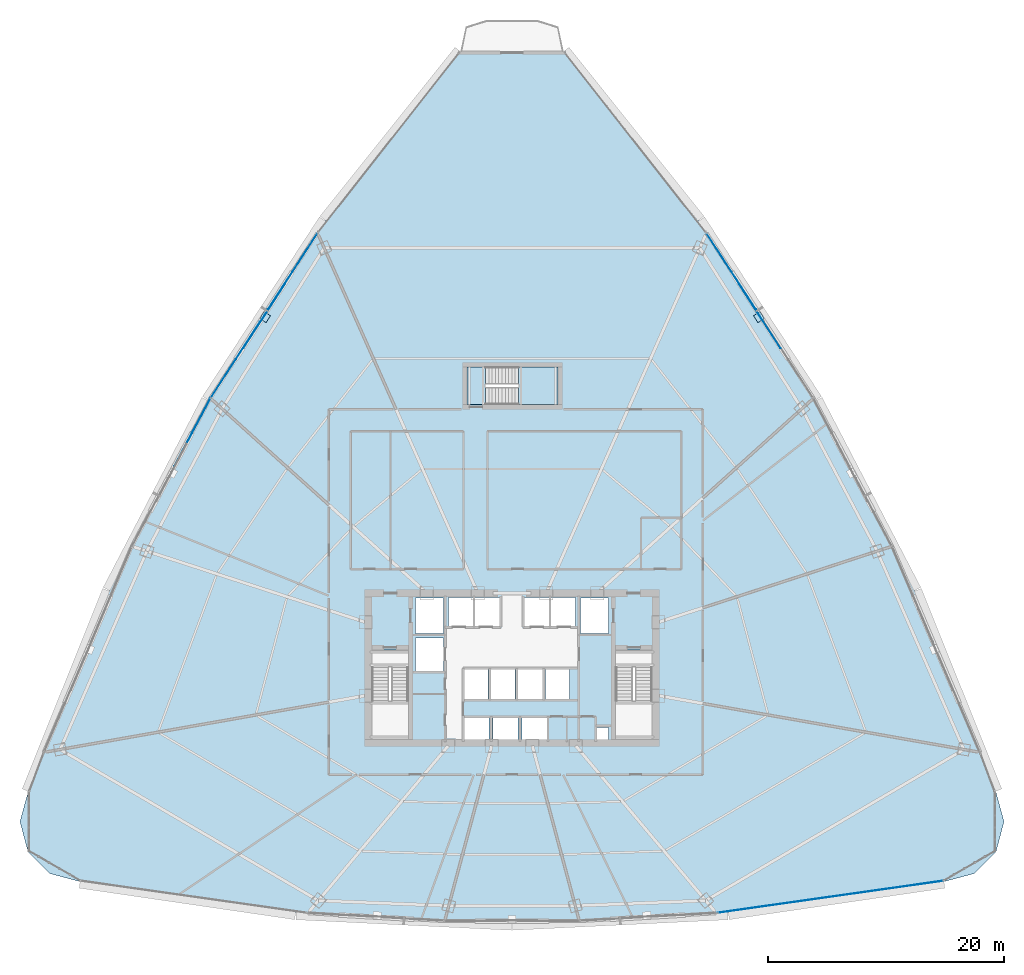
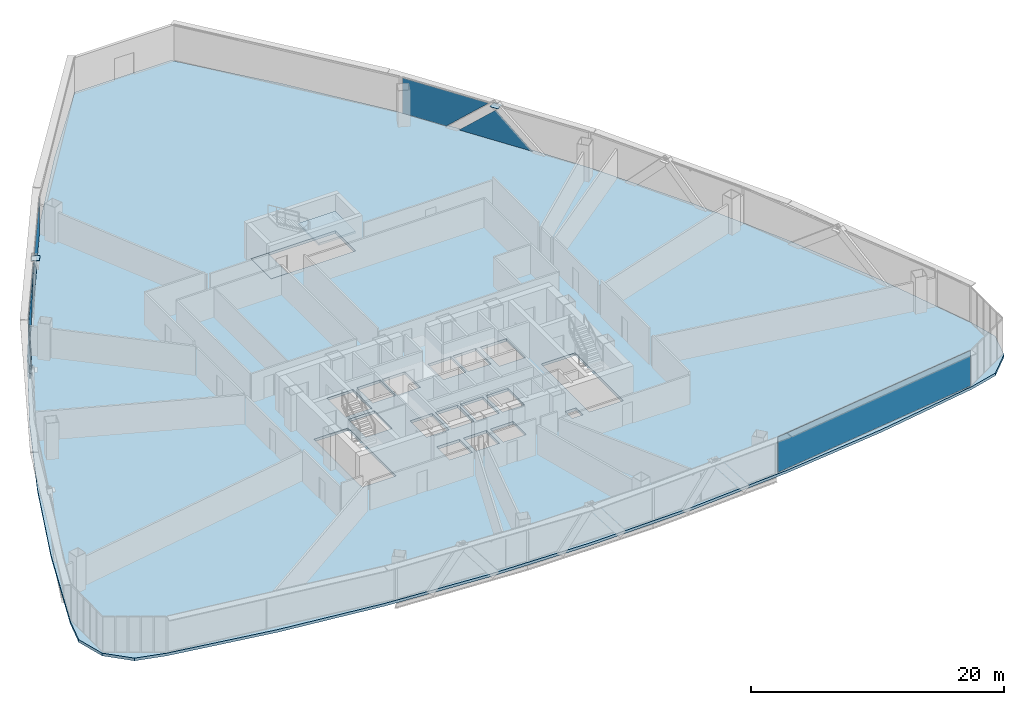
# One storey, part 31 of 41: 9 plates, 3 slabs, 5 elements without a shape of their own.
"""IFC4 building model written with IfcOpenShell, lengths in metres."""

import ifcopenshell
import ifcopenshell.guid

model = None  # the IFC model being written
_history = None  # IfcOwnerHistory: only IFC2X3 demands one
_inside = {}  # id of a spatial element -> (the spatial element, [elements in it])
_under = {}  # id of a project, library or spatial element -> (it, [spatial elements below it])
_declared = {}  # id of a project -> (the project, [libraries it declares])
_typed = {}  # id of a type object -> (the type object, [elements of that type])
_made_of = {}  # id of a material, layer set ... -> (it, [elements and type objects made of it])


def new_model(schema):
    """Start an empty IFC model of exactly this schema.

    Asked for "IFC4X3", IfcOpenShell would pick the latest addendum, in which some entities
    have other attributes; the version numbers below select the first issue.
    IFC2X3 requires an IfcOwnerHistory on every rooted entity: one is made here for all.
    """
    global model, _history
    if schema == "IFC4X3":
        model = ifcopenshell.file(schema_version=(4, 3, 0, 0))
    else:
        model = ifcopenshell.file(schema=schema)
    _inside.clear()
    _under.clear()
    _declared.clear()
    _typed.clear()
    _made_of.clear()
    _history = None
    if model.schema == "IFC2X3":
        org = make("IfcOrganization", Name="unknown")
        user = make(
            "IfcPersonAndOrganization",
            ThePerson=make("IfcPerson", FamilyName="unknown"),
            TheOrganization=org,
        )
        app = make(
            "IfcApplication",
            ApplicationDeveloper=org,
            Version="unknown",
            ApplicationFullName="unknown",
            ApplicationIdentifier="unknown",
        )
        _history = make(
            "IfcOwnerHistory",
            OwningUser=user,
            OwningApplication=app,
            ChangeAction="ADDED",
            CreationDate=0,
        )
    return model


def make(cls, **values):
    """One entity of the class cls with the attributes given. An attribute that is None is left unset."""
    return model.create_entity(
        cls, **{name: value for name, value in values.items() if value is not None}
    )


def rooted(cls, **values):
    """An entity with a GlobalId (a new one), such as an element, a storey or a relation."""
    return make(cls, GlobalId=ifcopenshell.guid.new(), OwnerHistory=_history, **values)


def si_unit(unit_type, name, prefix=None):
    """IfcSIUnit, for example si_unit("LENGTHUNIT", "METRE", prefix="MILLI")."""
    return make("IfcSIUnit", UnitType=unit_type, Prefix=prefix, Name=name)


def assignment(units):
    """IfcUnitAssignment: the units of a project."""
    return None if units is None else make("IfcUnitAssignment", Units=units)


def point(xyz):
    """IfcCartesianPoint."""
    return None if xyz is None else make("IfcCartesianPoint", Coordinates=xyz)


def direction(xyz):
    """IfcDirection."""
    return None if xyz is None else make("IfcDirection", DirectionRatios=xyz)


def frame(location, z_axis=None, x_axis=None):
    """IfcAxis2Placement3D, a coordinate frame: its origin and axes. An axis left out is left unset."""
    return make(
        "IfcAxis2Placement3D",
        Location=point(location),
        Axis=direction(z_axis),
        RefDirection=direction(x_axis),
    )


def frame_2d(location, x_axis=None):
    """IfcAxis2Placement2D, a coordinate frame in the plane: its origin and x axis."""
    return make(
        "IfcAxis2Placement2D", Location=point(location), RefDirection=direction(x_axis)
    )


def origin():
    """The frame at (0, 0, 0) with its axes left unset."""
    return frame((0.0, 0.0, 0.0))


def origin_2d():
    """The frame at (0, 0) in the plane with its x axis left unset."""
    return frame_2d((0.0, 0.0))


def place(relative_to, where):
    """IfcLocalPlacement: puts the frame where relative to a parent placement (None: the world)."""
    return make(
        "IfcLocalPlacement", PlacementRelTo=relative_to, RelativePlacement=where
    )


def context(
    kind, dimensions, precision=None, world=None, true_north=None, identifier=None
):
    """IfcGeometricRepresentationContext, for example the 3D "Model" context."""
    return make(
        "IfcGeometricRepresentationContext",
        ContextIdentifier=identifier,
        ContextType=kind,
        CoordinateSpaceDimension=dimensions,
        Precision=precision,
        WorldCoordinateSystem=world,
        TrueNorth=true_north,
    )


def subcontext(parent, identifier, kind, view, scale=None):
    """IfcGeometricRepresentationSubContext, for example "Body" below "Model"."""
    return make(
        "IfcGeometricRepresentationSubContext",
        ContextIdentifier=identifier,
        ContextType=kind,
        ParentContext=parent,
        TargetScale=scale,
        TargetView=view,
    )


def project(units=None, contexts=None):
    """IfcProject with its units and contexts."""
    return rooted(
        "IfcProject",
        Name="project",
        RepresentationContexts=contexts,
        UnitsInContext=assignment(units),
    )


def spatial(cls, under=None, at=None, **own):
    """A site, building, storey or space (cls), placed at a placement, below another one or the project."""
    s = rooted(cls, ObjectPlacement=at, **own)
    if under is not None:
        _under.setdefault(under.id(), (under, []))[1].append(s)
    return s


def polyline(points):
    """IfcPolyline through the points."""
    return make("IfcPolyline", Points=[point(p) for p in points])


def profile(cls, at=None, kind="AREA", **sizes):
    """A parametric profile (cls). Its sizes go by their IFC names, for example OverallWidth=200.0."""
    return make(cls, ProfileType=kind, Position=at, **sizes)


def rectangle(**sizes):
    """IfcRectangleProfileDef."""
    return profile("IfcRectangleProfileDef", **sizes)


def outline(outer, holes=None, kind="AREA"):
    """IfcArbitraryClosedProfileDef: a profile drawn as a closed curve; with holes, ...WithVoids."""
    if holes is None:
        return make("IfcArbitraryClosedProfileDef", ProfileType=kind, OuterCurve=outer)
    return make(
        "IfcArbitraryProfileDefWithVoids",
        ProfileType=kind,
        OuterCurve=outer,
        InnerCurves=holes,
    )


def extrude(swept, where, along, depth):
    """IfcExtrudedAreaSolid: the profile swept, set in the frame where, extruded along a direction by depth."""
    return make(
        "IfcExtrudedAreaSolid",
        SweptArea=swept,
        Position=where,
        ExtrudedDirection=direction(along),
        Depth=depth,
    )


def shape(context_of_items, identifier, shape_type, items):
    """IfcShapeRepresentation: the items that make up one representation, for example the "Body"."""
    return make(
        "IfcShapeRepresentation",
        ContextOfItems=context_of_items,
        RepresentationIdentifier=identifier,
        RepresentationType=shape_type,
        Items=items,
    )


def source(mapping_origin, context_of_items, identifier, shape_type, items):
    """IfcRepresentationMap: a shape defined once, which mapped items show again and again."""
    return make(
        "IfcRepresentationMap",
        MappingOrigin=mapping_origin,
        MappedRepresentation=shape(context_of_items, identifier, shape_type, items),
    )


def transform(
    local_origin,
    x_axis=None,
    y_axis=None,
    z_axis=None,
    scale=None,
    scale2=None,
    scale3=None,
    uniform=True,
):
    """IfcCartesianTransformationOperator3D, or its non-uniform kind. x_axis, y_axis, z_axis: its Axis1, 2, 3."""
    if uniform:
        return make(
            "IfcCartesianTransformationOperator3D",
            Axis1=direction(x_axis),
            Axis2=direction(y_axis),
            LocalOrigin=point(local_origin),
            Scale=scale,
            Axis3=direction(z_axis),
        )
    return make(
        "IfcCartesianTransformationOperator3DnonUniform",
        Axis1=direction(x_axis),
        Axis2=direction(y_axis),
        LocalOrigin=point(local_origin),
        Scale=scale,
        Axis3=direction(z_axis),
        Scale2=scale2,
        Scale3=scale3,
    )


def mapped(mapping_source, mapping_target):
    """IfcMappedItem: shows the shape of a source again, moved by a transform."""
    return make(
        "IfcMappedItem", MappingSource=mapping_source, MappingTarget=mapping_target
    )


def material(Name=None, Category=None):
    """IfcMaterial."""
    return make("IfcMaterial", Name=Name, Category=Category)


def layer(
    of_material, thickness, ventilated=None, Name=None, Category=None, Priority=None
):
    """IfcMaterialLayer: one layer of a wall or slab, of a material (None: an air gap)."""
    return make(
        "IfcMaterialLayer",
        Material=of_material,
        LayerThickness=thickness,
        IsVentilated=ventilated,
        Name=Name,
        Category=Category,
        Priority=Priority,
    )


def layer_set(layers, Name=None):
    """IfcMaterialLayerSet."""
    return make("IfcMaterialLayerSet", MaterialLayers=layers, LayerSetName=Name)


def made_of(thing, what):
    """Note that an element or type object is made of a material, layer set ...; save() writes the relation."""
    if what is not None:
        _made_of.setdefault(what.id(), (what, []))[1].append(thing)
    return thing


def type_object(cls, material=None, **own):
    """A type object (cls), such as IfcWallType, which elements share."""
    return made_of(rooted(cls, **own), material)


def element(
    cls,
    number,
    at=None,
    inside=None,
    cuts=None,
    type_object=None,
    material=None,
    context=None,
    identifier="Body",
    shape_type=None,
    held_by="IfcProductDefinitionShape",
    body=None,
    shapes=None,
    **own,
):
    """One element of the class cls, such as IfcWall. Its Tag is "e" and its number.

    at: its placement. inside: the storey or other place that contains it. cuts: it is an
    opening in that element (IfcRelVoidsElement). A single representation is given by context,
    identifier, shape_type and body (its items); several are given by shapes. held_by: the class
    of the entity that holds the representations. save() writes the other relations.
    """
    e = rooted(cls, Tag="e%d" % number, ObjectPlacement=at, **own)
    if body is not None:
        shapes = [shape(context, identifier, shape_type, body)]
    if shapes is not None:
        e.Representation = make(held_by, Representations=shapes)
    if inside is not None:
        _inside.setdefault(inside.id(), (inside, []))[1].append(e)
    if cuts is not None:
        rooted(
            "IfcRelVoidsElement", RelatingBuildingElement=cuts, RelatedOpeningElement=e
        )
    if type_object is not None:
        _typed.setdefault(type_object.id(), (type_object, []))[1].append(e)
    return made_of(e, material)


def aggregate(whole, parts):
    """IfcRelAggregates: a whole, such as a stair, and the parts it consists of."""
    return rooted("IfcRelAggregates", RelatingObject=whole, RelatedObjects=parts)


def save(model, path):
    """Write the relations noted so far, then the file.

    IfcRelAggregates (storeys below a building ...), IfcRelContainedInSpatialStructure (elements
    in a storey), IfcRelDefinesByType, IfcRelAssociatesMaterial and IfcRelDeclares: one each for
    every whole, place, type object, material and project.
    """
    for whole, parts in _under.values():
        aggregate(whole, parts)
    for where, things in _inside.values():
        rooted(
            "IfcRelContainedInSpatialStructure",
            RelatedElements=things,
            RelatingStructure=where,
        )
    for kind, things in _typed.values():
        rooted("IfcRelDefinesByType", RelatedObjects=things, RelatingType=kind)
    for what, things in _made_of.values():
        rooted("IfcRelAssociatesMaterial", RelatedObjects=things, RelatingMaterial=what)
    for by, libraries in _declared.values():
        rooted("IfcRelDeclares", RelatingContext=by, RelatedDefinitions=libraries)
    model.write(path)


model = new_model("IFC4")

# Units and contexts
model_context = context("Model", 3, precision=1e-05, world=origin(), true_north=direction((0.0, 1.0)))
body_context = subcontext(model_context, "Body", "Model", "MODEL_VIEW")
ifc_project = project(units=[si_unit("LENGTHUNIT", "METRE"), si_unit("AREAUNIT", "SQUARE_METRE"), si_unit("VOLUMEUNIT", "CUBIC_METRE"), si_unit("PLANEANGLEUNIT", "RADIAN"), si_unit("MASSUNIT", "GRAM", prefix="KILO"), si_unit("THERMODYNAMICTEMPERATUREUNIT", "KELVIN"), si_unit("POWERUNIT", "WATT")], contexts=[model_context])

# Site, building, storey
site_placement = place(None, origin())
site = spatial("IfcSite", under=ifc_project, at=site_placement, CompositionType="ELEMENT")
building_placement = place(site_placement, origin())
building = spatial("IfcBuilding", under=site, at=building_placement, Name="Yunzhuo Pagoda Commons", CompositionType="ELEMENT")
storey_placement = place(building_placement, frame((0.0, 0.0, 115.3798828125)))
storey = spatial("IfcBuildingStorey", under=building, at=storey_placement, Name="L29", CompositionType="ELEMENT", Elevation=115.3798828125)

# Curtain wall, plates
ifc_material_1 = material(Name="Anodized aluminium 6063-T6", Category="aluminium")
ifc_layer_1 = layer(ifc_material_1, 0.1650390625)
ifc_layer_set_1 = layer_set([ifc_layer_1], Name="Anodized aluminium 6063-T6")
curtain_wall_type = type_object("IfcCurtainWallType", Name="CW-LOW Low-Zone Ribbon Curtain Wall", PredefinedType="NOTDEFINED", material=ifc_layer_set_1)
curtain_wall_1_placement = place(storey_placement, origin())
curtain_wall_1 = element("IfcCurtainWall", 1, at=curtain_wall_1_placement, inside=storey, type_object=curtain_wall_type, Name="L29 curtain wall CW-L29-F2B4", PredefinedType="NOTDEFINED")
ifc_material_2 = material(Name="Tempered low-e double glazing", Category="glass")
ifc_layer_2 = layer(ifc_material_2, 0.028076171875)
ifc_layer_set_2 = layer_set([ifc_layer_2], Name="Tempered low-e double glazing")
plate_type_1 = type_object("IfcPlateType", Name="CW-LOW-P Low-E Double Glazing 28", PredefinedType="CURTAIN_PANEL", material=ifc_layer_set_2)
plate_1_placement = place(storey_placement, frame((69.01025390625, 63.730224609375, 1.533935546875), z_axis=(0.839105842503, 0.543968183884, 0.0), x_axis=(-0.543968183884, 0.839105842503, 0.0)))
plate_1 = element("IfcPlate", 2, at=plate_1_placement, type_object=plate_type_1, Name="CW panel 1.1 lite 2", PredefinedType="CURTAIN_PANEL", context=body_context, shape_type="SweptSolid", body=[
    extrude(outline(polyline([(-3.257568359375, -1.4736328125), (3.257568359375, -1.4736328125), (0.0, 1.473876953125), (-3.257568359375, -1.4736328125)])), origin(), (0.0, 0.0, 1.0), 0.028076171875),
])
plate_2_placement = place(storey_placement, frame((66.608642578125, 67.490234375, 1.760009765625), z_axis=(0.839105842503, 0.543968183884, 0.0), x_axis=(-0.543968183884, 0.839105842503, 0.0)))
plate_2 = element("IfcPlate", 3, at=plate_2_placement, type_object=plate_type_1, Name="CW panel 1.1 lite 3", PredefinedType="CURTAIN_PANEL", context=body_context, shape_type="SweptSolid", body=[
    extrude(outline(polyline([(-3.82861328125, 1.699951171875), (-0.0712890625, -1.699951171875), (3.82861328125, -1.699951171875), (3.82861328125, 1.699951171875), (-3.82861328125, 1.699951171875)])), origin(), (0.0, 0.0, 1.0), 0.028076171875),
])
aggregate(curtain_wall_1, [plate_1, plate_2])

curtain_wall_2_placement = place(storey_placement, origin())
curtain_wall_2 = element("IfcCurtainWall", 4, at=curtain_wall_2_placement, inside=storey, type_object=curtain_wall_type, Name="L29 curtain wall CW-L29-F3B2", PredefinedType="NOTDEFINED")
plate_3_placement = place(storey_placement, frame((29.391357421875, 67.490234375, 1.760009765625), z_axis=(-0.839105842503, 0.543968183884, 0.0), x_axis=(-0.543968183884, -0.839105842503, 0.0)))
plate_3 = element("IfcPlate", 5, at=plate_3_placement, type_object=plate_type_1, Name="CW panel 1.1 lite 1", PredefinedType="CURTAIN_PANEL", context=body_context, shape_type="SweptSolid", body=[
    extrude(outline(polyline([(-3.82861328125, -1.699951171875), (0.0712890625, -1.699951171875), (3.82861328125, 1.699951171875), (-3.82861328125, 1.699951171875), (-3.82861328125, -1.699951171875)])), origin(), (0.0, 0.0, 1.0), 0.028076171875),
])
plate_4_placement = place(storey_placement, frame((26.98974609375, 63.730224609375, 1.533935546875), z_axis=(-0.839105842503, 0.543968183884, 0.0), x_axis=(-0.543968183884, -0.839105842503, 0.0)))
plate_4 = element("IfcPlate", 6, at=plate_4_placement, type_object=plate_type_1, Name="CW panel 1.1 lite 2", PredefinedType="CURTAIN_PANEL", context=body_context, shape_type="SweptSolid", body=[
    extrude(outline(polyline([(-3.257568359375, -1.4736328125), (3.257568359375, -1.4736328125), (0.0, 1.473876953125), (-3.257568359375, -1.4736328125)])), origin(), (0.0, 0.0, 1.0), 0.028076171875),
])
plate_5_placement = place(storey_placement, frame((24.53759765625, 60.0029296875, 1.760009765625), z_axis=(-0.839105842503, 0.543968183884, 0.0), x_axis=(-0.543968183884, -0.839105842503, 0.0)))
plate_5 = element("IfcPlate", 7, at=plate_5_placement, type_object=plate_type_1, Name="CW panel 1.1 lite 3", PredefinedType="CURTAIN_PANEL", context=body_context, shape_type="SweptSolid", body=[
    extrude(outline(polyline([(-3.82861328125, 1.699951171875), (-0.0712890625, -1.699951171875), (3.82861328125, -1.699951171875), (3.82861328125, 1.699951171875), (-3.82861328125, 1.699951171875)])), origin(), (0.0, 0.0, 1.0), 0.028076171875),
])
aggregate(curtain_wall_2, [plate_3, plate_4, plate_5])

# Curtain wall, plate
curtain_wall_3_placement = place(storey_placement, origin())
curtain_wall_3 = element("IfcCurtainWall", 8, at=curtain_wall_3_placement, inside=storey, type_object=curtain_wall_type, Name="L29 curtain wall CW-L29-F3B3", PredefinedType="NOTDEFINED")
plate_6_placement = place(storey_placement, frame((20.8740234375, 53.82275390625, 1.760009765625), z_axis=(-0.88333303698, 0.468745928813, 0.0), x_axis=(-0.468745928813, -0.88333303698, 0.0)))
plate_6 = element("IfcPlate", 9, at=plate_6_placement, type_object=plate_type_1, Name="CW panel 1.1 lite 1", PredefinedType="CURTAIN_PANEL", context=body_context, shape_type="SweptSolid", body=[
    extrude(outline(polyline([(-3.23388671875, -1.699951171875), (0.035888671875, -1.699951171875), (3.23388671875, 1.699951171875), (-3.23388671875, 1.699951171875), (-3.23388671875, -1.699951171875)])), origin(), (0.0, 0.0, 1.0), 0.028076171875),
])
aggregate(curtain_wall_3, [plate_6])

# Stair, slabs
ifc_material_3 = material(Name="Concrete C40", Category="concrete")
stair_type = type_object("IfcStairType", Name="ST-C3 North Tower Smokeproof Stair ST3", PredefinedType="HALF_TURN_STAIR", material=ifc_material_3)
stair_placement = place(storey_placement, origin())
stair = element("IfcStair", 10, at=stair_placement, inside=storey, type_object=stair_type, Name="L29 North tower smokeproof stair ST3", PredefinedType="HALF_TURN_STAIR")
ifc_layer_3 = layer(ifc_material_3, 0.2041015625)
ifc_layer_set_3 = layer_set([ifc_layer_3], Name="Concrete C40")
slab_type_1 = type_object("IfcSlabType", Name="SL-LND5 North Landing Slab 204", PredefinedType="LANDING", material=ifc_layer_set_3)
slab_1_placement = place(storey_placement, frame((0.0, 0.0, 1.7001953125)))
slab_1 = element("IfcSlab", 11, at=slab_1_placement, type_object=slab_type_1, Name="ST3 landing 1", PredefinedType="LANDING", context=body_context, shape_type="SweptSolid", body=[
    extrude(outline(polyline([(48.550048828125, 56.199951171875), (51.89990234375, 56.199951171875), (51.89990234375, 59.39990234375), (48.550048828125, 59.39990234375), (48.550048828125, 56.199951171875)])), origin(), (0.0, 0.0, 1.0), 0.199951171875),
])
slab_2_placement = place(storey_placement, frame((0.0, 0.0, -0.199951171875)))
slab_2 = element("IfcSlab", 12, at=slab_2_placement, type_object=slab_type_1, Name="ST3 floor landing L29", PredefinedType="LANDING", context=body_context, shape_type="SweptSolid", body=[
    extrude(outline(polyline([(44.199951171875, 56.199951171875), (45.75, 56.199951171875), (45.75, 59.39990234375), (44.199951171875, 59.39990234375), (44.199951171875, 56.199951171875)])), origin(), (0.0, 0.0, 1.0), 0.199951171875),
])
aggregate(stair, [slab_1, slab_2])

# Slab
ifc_layer_4 = layer(ifc_material_3, 0.260009765625)
ifc_layer_set_4 = layer_set([ifc_layer_4], Name="Concrete C40")
slab_type_2 = type_object("IfcSlabType", Name="SL-TWR Typical Tower Floor Slab 260", PredefinedType="FLOOR", material=ifc_layer_set_4)
slab_3_placement = place(storey_placement, frame((0.0, 0.0, -0.259765625)))
element("IfcSlab", 13, at=slab_3_placement, inside=storey, type_object=slab_type_2, Name="L29 structural floor slab", PredefinedType="FLOOR", context=body_context, shape_type="SweptSolid", body=[
    extrude(outline(polyline([(10.1689453125, 32.000244140625), (13.791015625, 40.41845703125), (17.798583984375, 48.61181640625), (22.191650390625, 56.580322265625), (26.97021484375, 64.32373046875), (32.134033203125, 71.842041015625), (37.683349609375, 79.135498046875), (43.6181640625, 86.203857421875), (52.3818359375, 86.203857421875), (58.316650390625, 79.135498046875), (63.865966796875, 71.842041015625), (69.02978515625, 64.32373046875), (73.808349609375, 56.580322265625), (78.201416015625, 48.61181640625), (82.208984375, 40.41845703125), (85.8310546875, 32.000244140625), (89.06787109375, 23.356689453125), (89.759765625, 20.817138671875), (89.086181640625, 18.272705078125), (87.22802734375, 16.408203125), (84.68603515625, 15.725341796875), (75.514404296875, 14.1630859375), (66.343017578125, 13.047607421875), (57.17138671875, 12.3779296875), (48.0, 12.15478515625), (38.82861328125, 12.3779296875), (29.656982421875, 13.047607421875), (20.485595703125, 14.1630859375), (11.31396484375, 15.725341796875), (8.77197265625, 16.408203125), (6.913818359375, 18.272705078125), (6.240234375, 20.817138671875), (6.93212890625, 23.356689453125), (10.1689453125, 32.000244140625)]), holes=[polyline([(46.050048828125, 27.60009765625), (46.050048828125, 29.64990234375), (43.949951171875, 29.64990234375), (43.949951171875, 27.60009765625), (46.050048828125, 27.60009765625)]), polyline([(48.5, 27.60009765625), (48.5, 29.64990234375), (46.39990234375, 29.64990234375), (46.39990234375, 27.60009765625), (48.5, 27.60009765625)]), polyline([(36.10009765625, 27.800048828125), (39.199951171875, 27.800048828125), (39.199951171875, 35.39990234375), (36.10009765625, 35.39990234375), (36.10009765625, 27.800048828125)]), polyline([(45.969970703125, 31.199951171875), (45.969970703125, 33.800048828125), (43.929931640625, 33.800048828125), (43.929931640625, 31.199951171875), (45.969970703125, 31.199951171875)]), polyline([(48.27001953125, 31.199951171875), (48.27001953125, 33.800048828125), (46.22998046875, 33.800048828125), (46.22998046875, 31.199951171875), (48.27001953125, 31.199951171875)]), polyline([(42.199951171875, 33.60009765625), (42.199951171875, 36.39990234375), (39.800048828125, 36.39990234375), (39.800048828125, 33.60009765625), (42.199951171875, 33.60009765625)]), polyline([(42.199951171875, 36.800048828125), (42.199951171875, 39.800048828125), (39.800048828125, 39.800048828125), (39.800048828125, 36.800048828125), (42.199951171875, 36.800048828125)]), polyline([(42.60009765625, 37.39990234375), (44.699951171875, 37.39990234375), (44.699951171875, 39.85009765625), (42.60009765625, 39.85009765625), (42.60009765625, 37.39990234375)]), polyline([(44.85009765625, 37.39990234375), (46.949951171875, 37.39990234375), (46.949951171875, 39.85009765625), (44.85009765625, 39.85009765625), (44.85009765625, 37.39990234375)]), polyline([(56.179931640625, 27.699951171875), (56.179931640625, 28.800048828125), (55.179931640625, 28.800048828125), (55.179931640625, 27.699951171875), (56.179931640625, 27.699951171875)]), polyline([(50.949951171875, 27.60009765625), (50.949951171875, 29.64990234375), (48.85009765625, 29.64990234375), (48.85009765625, 27.60009765625), (50.949951171875, 27.60009765625)]), polyline([(56.800048828125, 27.800048828125), (59.89990234375, 27.800048828125), (59.89990234375, 35.39990234375), (56.800048828125, 35.39990234375), (56.800048828125, 27.800048828125)]), polyline([(50.570068359375, 31.199951171875), (50.570068359375, 33.800048828125), (48.530029296875, 33.800048828125), (48.530029296875, 31.199951171875), (50.570068359375, 31.199951171875)]), polyline([(52.8701171875, 31.199951171875), (52.8701171875, 33.800048828125), (50.830078125, 33.800048828125), (50.830078125, 31.199951171875), (52.8701171875, 31.199951171875)]), polyline([(56.199951171875, 36.800048828125), (56.199951171875, 39.800048828125), (53.800048828125, 39.800048828125), (53.800048828125, 36.800048828125), (56.199951171875, 36.800048828125)]), polyline([(51.14990234375, 37.39990234375), (51.14990234375, 39.85009765625), (49.050048828125, 39.85009765625), (49.050048828125, 37.39990234375), (51.14990234375, 37.39990234375)]), polyline([(51.300048828125, 37.39990234375), (53.39990234375, 37.39990234375), (53.39990234375, 39.85009765625), (51.300048828125, 39.85009765625), (51.300048828125, 37.39990234375)]), polyline([(44.199951171875, 56.199951171875), (51.89990234375, 56.199951171875), (51.89990234375, 59.39990234375), (44.199951171875, 59.39990234375), (44.199951171875, 56.199951171875)])]), origin(), (0.0, 0.0, 1.0), 0.259765625),
])

# Plates
ifc_material_4 = material(Name="Structural steel Q355B", Category="steel")
ifc_layer_5 = layer(ifc_material_4, 0.028076171875)
ifc_layer_set_5 = layer_set([ifc_layer_5], Name="Structural steel Q355B")
plate_type_2 = type_object("IfcPlateType", Name="SP-ND1 Lattice Node Cap Plate 800x500x28", PredefinedType="USERDEFINED", material=ifc_layer_set_5)
shared_shape_1 = source(origin(), body_context, "Body", "SweptSolid", [
    extrude(rectangle(XDim=0.699951171875, YDim=0.648681640625, at=origin_2d()), origin(), (0.0, 0.0, 1.0), 0.035888671875),
])
for number, where, z_axis, x_axis, name in (
    (14, (68.96142578125, 63.6318359375, 3.48193359375), (0.0, 0.0, 1.0), (-0.543965531672, 0.83910756185, 0.0), "L29 setback lattice tie plate F2.3L"),
    (15, (27.03857421875, 63.6318359375, 3.48193359375), (0.0, 0.0, 1.0), (-0.543965531672, -0.83910756185, 0.0), "L29 setback lattice tie plate F3.1L"),
):
    element("IfcPlate", number, at=place(storey_placement, frame(where, z_axis=z_axis, x_axis=x_axis)), inside=storey, type_object=plate_type_2, Name=name, ObjectType="STIFFENER_PLATE", PredefinedType="USERDEFINED", context=body_context, shape_type="MappedRepresentation", body=[
        mapped(shared_shape_1, transform((0.0, 0.0, 0.0), scale=1.0)),
    ])

# Curtain wall, plate
curtain_wall_4_placement = place(storey_placement, origin())
curtain_wall_4 = element("IfcCurtainWall", 16, at=curtain_wall_4_placement, inside=storey, type_object=curtain_wall_type, Name="L29 curtain wall CW-L29-F1B5", PredefinedType="NOTDEFINED")
shared_shape_2 = source(origin(), body_context, "Body", "SweptSolid", [
    extrude(rectangle(XDim=19.310546875, YDim=0.028076171875, at=origin_2d()), origin(), (0.0, 0.0, 1.0), 3.39990234375),
])
plate_7_placement = place(storey_placement, frame((75.02197265625, 14.4296875, 0.06005859375), z_axis=(0.0, 0.0, 1.0), x_axis=(0.990093724606, 0.140408035721, 0.0)))
plate_7 = element("IfcPlate", 17, at=plate_7_placement, type_object=plate_type_1, Name="CW panel 1.1", PredefinedType="CURTAIN_PANEL", context=body_context, shape_type="MappedRepresentation", body=[
    mapped(shared_shape_2, transform((0.0, 0.0, 0.0), scale=1.0)),
])
aggregate(curtain_wall_4, [plate_7])

save(model, "model.ifc")
